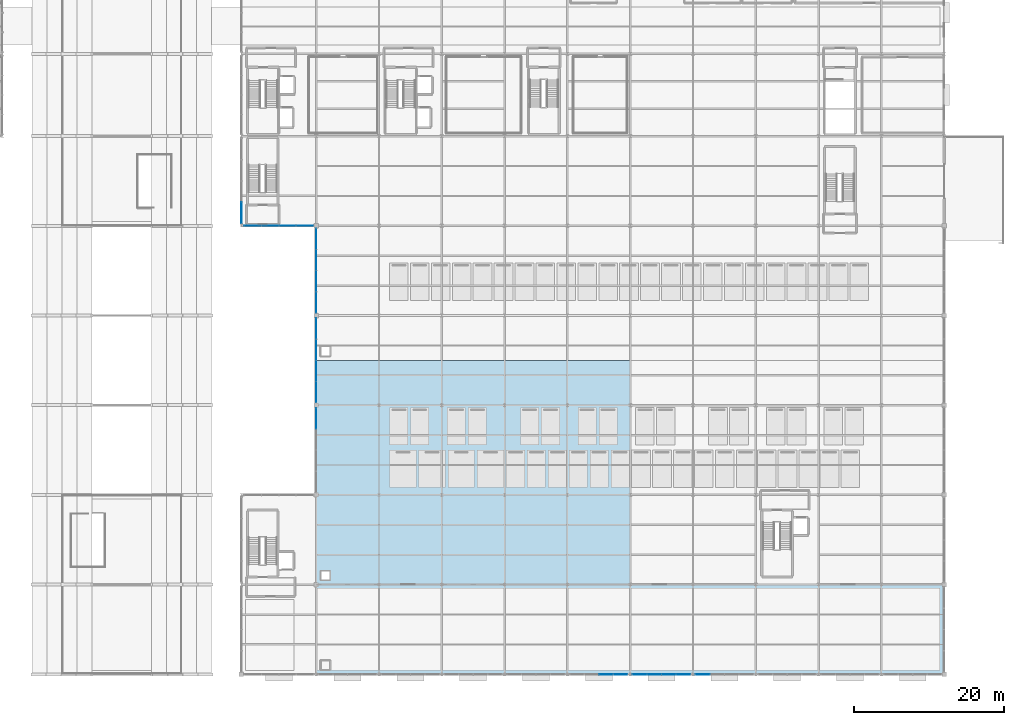
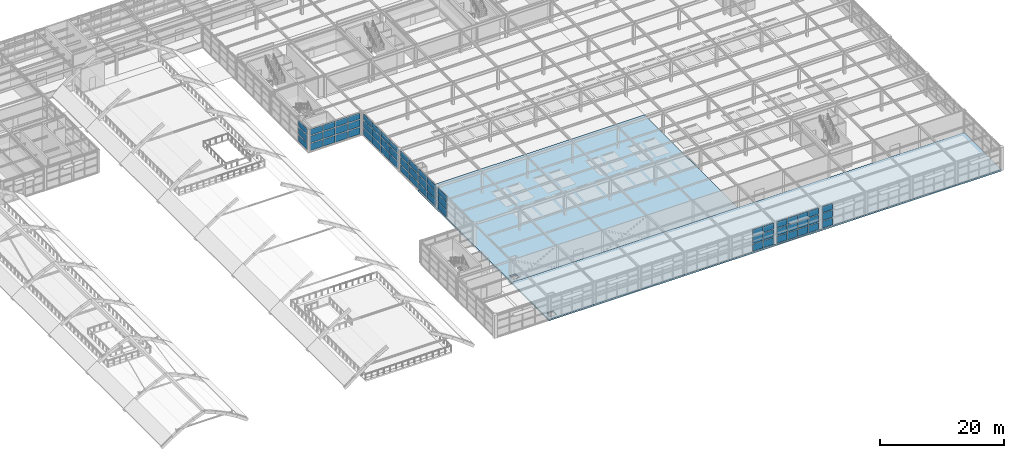
# One storey, part 47 of 82: 63 plates, 2 slabs, 8 elements without a shape of their own.
"""IFC4 building model written with IfcOpenShell, lengths in metres."""

import ifcopenshell
import ifcopenshell.guid

model = None  # the IFC model being written
_history = None  # IfcOwnerHistory: only IFC2X3 demands one
_inside = {}  # id of a spatial element -> (the spatial element, [elements in it])
_under = {}  # id of a project, library or spatial element -> (it, [spatial elements below it])
_declared = {}  # id of a project -> (the project, [libraries it declares])
_typed = {}  # id of a type object -> (the type object, [elements of that type])
_made_of = {}  # id of a material, layer set ... -> (it, [elements and type objects made of it])


def new_model(schema):
    """Start an empty IFC model of exactly this schema.

    Asked for "IFC4X3", IfcOpenShell would pick the latest addendum, in which some entities
    have other attributes; the version numbers below select the first issue.
    IFC2X3 requires an IfcOwnerHistory on every rooted entity: one is made here for all.
    """
    global model, _history
    if schema == "IFC4X3":
        model = ifcopenshell.file(schema_version=(4, 3, 0, 0))
    else:
        model = ifcopenshell.file(schema=schema)
    _inside.clear()
    _under.clear()
    _declared.clear()
    _typed.clear()
    _made_of.clear()
    _history = None
    if model.schema == "IFC2X3":
        org = make("IfcOrganization", Name="unknown")
        user = make(
            "IfcPersonAndOrganization",
            ThePerson=make("IfcPerson", FamilyName="unknown"),
            TheOrganization=org,
        )
        app = make(
            "IfcApplication",
            ApplicationDeveloper=org,
            Version="unknown",
            ApplicationFullName="unknown",
            ApplicationIdentifier="unknown",
        )
        _history = make(
            "IfcOwnerHistory",
            OwningUser=user,
            OwningApplication=app,
            ChangeAction="ADDED",
            CreationDate=0,
        )
    return model


def make(cls, **values):
    """One entity of the class cls with the attributes given. An attribute that is None is left unset."""
    return model.create_entity(
        cls, **{name: value for name, value in values.items() if value is not None}
    )


def rooted(cls, **values):
    """An entity with a GlobalId (a new one), such as an element, a storey or a relation."""
    return make(cls, GlobalId=ifcopenshell.guid.new(), OwnerHistory=_history, **values)


def si_unit(unit_type, name, prefix=None):
    """IfcSIUnit, for example si_unit("LENGTHUNIT", "METRE", prefix="MILLI")."""
    return make("IfcSIUnit", UnitType=unit_type, Prefix=prefix, Name=name)


def assignment(units):
    """IfcUnitAssignment: the units of a project."""
    return None if units is None else make("IfcUnitAssignment", Units=units)


def point(xyz):
    """IfcCartesianPoint."""
    return None if xyz is None else make("IfcCartesianPoint", Coordinates=xyz)


def direction(xyz):
    """IfcDirection."""
    return None if xyz is None else make("IfcDirection", DirectionRatios=xyz)


def frame(location, z_axis=None, x_axis=None):
    """IfcAxis2Placement3D, a coordinate frame: its origin and axes. An axis left out is left unset."""
    return make(
        "IfcAxis2Placement3D",
        Location=point(location),
        Axis=direction(z_axis),
        RefDirection=direction(x_axis),
    )


def frame_2d(location, x_axis=None):
    """IfcAxis2Placement2D, a coordinate frame in the plane: its origin and x axis."""
    return make(
        "IfcAxis2Placement2D", Location=point(location), RefDirection=direction(x_axis)
    )


def origin():
    """The frame at (0, 0, 0) with its axes left unset."""
    return frame((0.0, 0.0, 0.0))


def origin_2d():
    """The frame at (0, 0) in the plane with its x axis left unset."""
    return frame_2d((0.0, 0.0))


def place(relative_to, where):
    """IfcLocalPlacement: puts the frame where relative to a parent placement (None: the world)."""
    return make(
        "IfcLocalPlacement", PlacementRelTo=relative_to, RelativePlacement=where
    )


def context(
    kind, dimensions, precision=None, world=None, true_north=None, identifier=None
):
    """IfcGeometricRepresentationContext, for example the 3D "Model" context."""
    return make(
        "IfcGeometricRepresentationContext",
        ContextIdentifier=identifier,
        ContextType=kind,
        CoordinateSpaceDimension=dimensions,
        Precision=precision,
        WorldCoordinateSystem=world,
        TrueNorth=true_north,
    )


def subcontext(parent, identifier, kind, view, scale=None):
    """IfcGeometricRepresentationSubContext, for example "Body" below "Model"."""
    return make(
        "IfcGeometricRepresentationSubContext",
        ContextIdentifier=identifier,
        ContextType=kind,
        ParentContext=parent,
        TargetScale=scale,
        TargetView=view,
    )


def project(units=None, contexts=None):
    """IfcProject with its units and contexts."""
    return rooted(
        "IfcProject",
        Name="project",
        RepresentationContexts=contexts,
        UnitsInContext=assignment(units),
    )


def spatial(cls, under=None, at=None, **own):
    """A site, building, storey or space (cls), placed at a placement, below another one or the project."""
    s = rooted(cls, ObjectPlacement=at, **own)
    if under is not None:
        _under.setdefault(under.id(), (under, []))[1].append(s)
    return s


def polyline(points):
    """IfcPolyline through the points."""
    return make("IfcPolyline", Points=[point(p) for p in points])


def profile(cls, at=None, kind="AREA", **sizes):
    """A parametric profile (cls). Its sizes go by their IFC names, for example OverallWidth=200.0."""
    return make(cls, ProfileType=kind, Position=at, **sizes)


def rectangle(**sizes):
    """IfcRectangleProfileDef."""
    return profile("IfcRectangleProfileDef", **sizes)


def outline(outer, holes=None, kind="AREA"):
    """IfcArbitraryClosedProfileDef: a profile drawn as a closed curve; with holes, ...WithVoids."""
    if holes is None:
        return make("IfcArbitraryClosedProfileDef", ProfileType=kind, OuterCurve=outer)
    return make(
        "IfcArbitraryProfileDefWithVoids",
        ProfileType=kind,
        OuterCurve=outer,
        InnerCurves=holes,
    )


def extrude(swept, where, along, depth):
    """IfcExtrudedAreaSolid: the profile swept, set in the frame where, extruded along a direction by depth."""
    return make(
        "IfcExtrudedAreaSolid",
        SweptArea=swept,
        Position=where,
        ExtrudedDirection=direction(along),
        Depth=depth,
    )


def shape(context_of_items, identifier, shape_type, items):
    """IfcShapeRepresentation: the items that make up one representation, for example the "Body"."""
    return make(
        "IfcShapeRepresentation",
        ContextOfItems=context_of_items,
        RepresentationIdentifier=identifier,
        RepresentationType=shape_type,
        Items=items,
    )


def material(Name=None, Category=None):
    """IfcMaterial."""
    return make("IfcMaterial", Name=Name, Category=Category)


def layer(
    of_material, thickness, ventilated=None, Name=None, Category=None, Priority=None
):
    """IfcMaterialLayer: one layer of a wall or slab, of a material (None: an air gap)."""
    return make(
        "IfcMaterialLayer",
        Material=of_material,
        LayerThickness=thickness,
        IsVentilated=ventilated,
        Name=Name,
        Category=Category,
        Priority=Priority,
    )


def layer_set(layers, Name=None):
    """IfcMaterialLayerSet."""
    return make("IfcMaterialLayerSet", MaterialLayers=layers, LayerSetName=Name)


def made_of(thing, what):
    """Note that an element or type object is made of a material, layer set ...; save() writes the relation."""
    if what is not None:
        _made_of.setdefault(what.id(), (what, []))[1].append(thing)
    return thing


def type_object(cls, material=None, **own):
    """A type object (cls), such as IfcWallType, which elements share."""
    return made_of(rooted(cls, **own), material)


def element(
    cls,
    number,
    at=None,
    inside=None,
    cuts=None,
    type_object=None,
    material=None,
    context=None,
    identifier="Body",
    shape_type=None,
    held_by="IfcProductDefinitionShape",
    body=None,
    shapes=None,
    **own,
):
    """One element of the class cls, such as IfcWall. Its Tag is "e" and its number.

    at: its placement. inside: the storey or other place that contains it. cuts: it is an
    opening in that element (IfcRelVoidsElement). A single representation is given by context,
    identifier, shape_type and body (its items); several are given by shapes. held_by: the class
    of the entity that holds the representations. save() writes the other relations.
    """
    e = rooted(cls, Tag="e%d" % number, ObjectPlacement=at, **own)
    if body is not None:
        shapes = [shape(context, identifier, shape_type, body)]
    if shapes is not None:
        e.Representation = make(held_by, Representations=shapes)
    if inside is not None:
        _inside.setdefault(inside.id(), (inside, []))[1].append(e)
    if cuts is not None:
        rooted(
            "IfcRelVoidsElement", RelatingBuildingElement=cuts, RelatedOpeningElement=e
        )
    if type_object is not None:
        _typed.setdefault(type_object.id(), (type_object, []))[1].append(e)
    return made_of(e, material)


def aggregate(whole, parts):
    """IfcRelAggregates: a whole, such as a stair, and the parts it consists of."""
    return rooted("IfcRelAggregates", RelatingObject=whole, RelatedObjects=parts)


def save(model, path):
    """Write the relations noted so far, then the file.

    IfcRelAggregates (storeys below a building ...), IfcRelContainedInSpatialStructure (elements
    in a storey), IfcRelDefinesByType, IfcRelAssociatesMaterial and IfcRelDeclares: one each for
    every whole, place, type object, material and project.
    """
    for whole, parts in _under.values():
        aggregate(whole, parts)
    for where, things in _inside.values():
        rooted(
            "IfcRelContainedInSpatialStructure",
            RelatedElements=things,
            RelatingStructure=where,
        )
    for kind, things in _typed.values():
        rooted("IfcRelDefinesByType", RelatedObjects=things, RelatingType=kind)
    for what, things in _made_of.values():
        rooted("IfcRelAssociatesMaterial", RelatedObjects=things, RelatingMaterial=what)
    for by, libraries in _declared.values():
        rooted("IfcRelDeclares", RelatingContext=by, RelatedDefinitions=libraries)
    model.write(path)


model = new_model("IFC4")

# Units and contexts
model_context = context("Model", 3, precision=1e-05, world=origin(), true_north=direction((0.0, 1.0)))
body_context = subcontext(model_context, "Body", "Model", "MODEL_VIEW")
ifc_project = project(units=[si_unit("LENGTHUNIT", "METRE"), si_unit("AREAUNIT", "SQUARE_METRE"), si_unit("VOLUMEUNIT", "CUBIC_METRE"), si_unit("PLANEANGLEUNIT", "RADIAN"), si_unit("MASSUNIT", "GRAM", prefix="KILO")], contexts=[model_context])

# Site, building, storey
site_placement = place(None, origin())
site = spatial("IfcSite", under=ifc_project, at=site_placement, CompositionType="ELEMENT")
building_placement = place(site_placement, origin())
building = spatial("IfcBuilding", under=site, at=building_placement, Name="Sitalva Quay Ferry Terminal", CompositionType="ELEMENT")
storey_placement = place(building_placement, frame((0.0, 0.0, 5.39990234375)))
storey = spatial("IfcBuildingStorey", under=building, at=storey_placement, Name="L02", CompositionType="ELEMENT", Elevation=5.39990234375)

# Curtain wall, plates
ifc_material_1 = material(Name="Anodised Aluminium & Low-E Glazing", Category="aluminium")
ifc_layer_1 = layer(ifc_material_1, 0.159912109375)
ifc_layer_set_1 = layer_set([ifc_layer_1], Name="Anodised Aluminium & Low-E Glazing")
curtain_wall_type_1 = type_object("IfcCurtainWallType", Name="CW_Podium_Stick", PredefinedType="USERDEFINED", material=ifc_layer_set_1)
curtain_wall_1_placement = place(storey_placement, origin())
curtain_wall_1 = element("IfcCurtainWall", 1, at=curtain_wall_1_placement, inside=storey, type_object=curtain_wall_type_1, Name="L02 east monsoon court north glazing (CW-L02-079)", ObjectType="CURTAIN_WALL", PredefinedType="USERDEFINED")
ifc_material_2 = material(Name="Laminated Low-E Double Glazing", Category="glass")
ifc_layer_2 = layer(ifc_material_2, 0.028076171875)
ifc_layer_set_2 = layer_set([ifc_layer_2], Name="Laminated Low-E Double Glazing")
plate_type_1 = type_object("IfcPlateType", Name="Panel_LowE_IGU_28", PredefinedType="CURTAIN_PANEL", material=ifc_layer_set_2)
plate_1_placement = place(storey_placement, frame((75.512451171875, 66.0, 0.1552734375), z_axis=(0.0, 0.0, 1.0), x_axis=(1.0, 0.0, 0.0)))
plate_1 = element("IfcPlate", 2, at=plate_1_placement, type_object=plate_type_1, Name="CW-L02-079-P0-0", PredefinedType="CURTAIN_PANEL", context=body_context, shape_type="SweptSolid", body=[
    extrude(rectangle(XDim=2.25, YDim=0.028076171875, at=origin_2d()), origin(), (0.0, 0.0, 1.0), 1.344970703125),
])
plate_2_placement = place(storey_placement, frame((75.512451171875, 66.0, 1.6552734375), z_axis=(0.0, 0.0, 1.0), x_axis=(1.0, 0.0, 0.0)))
plate_2 = element("IfcPlate", 3, at=plate_2_placement, type_object=plate_type_1, Name="CW-L02-079-P0-1", PredefinedType="CURTAIN_PANEL", context=body_context, shape_type="SweptSolid", body=[
    extrude(rectangle(XDim=2.25, YDim=0.028076171875, at=origin_2d()), origin(), (0.0, 0.0, 1.0), 1.344970703125),
])
plate_3_placement = place(storey_placement, frame((75.512451171875, 66.0, 3.155029296875), z_axis=(0.0, 0.0, 1.0), x_axis=(1.0, 0.0, 0.0)))
plate_3 = element("IfcPlate", 4, at=plate_3_placement, type_object=plate_type_1, Name="CW-L02-079-P0-2", PredefinedType="CURTAIN_PANEL", context=body_context, shape_type="SweptSolid", body=[
    extrude(rectangle(XDim=2.25, YDim=0.028076171875, at=origin_2d()), origin(), (0.0, 0.0, 1.0), 1.18994140625),
])
plate_4_placement = place(storey_placement, frame((77.83740234375, 66.0, 0.1552734375), z_axis=(0.0, 0.0, 1.0), x_axis=(1.0, 0.0, 0.0)))
plate_4 = element("IfcPlate", 5, at=plate_4_placement, type_object=plate_type_1, Name="CW-L02-079-P1-0", PredefinedType="CURTAIN_PANEL", context=body_context, shape_type="SweptSolid", body=[
    extrude(rectangle(XDim=2.25, YDim=0.028076171875, at=origin_2d()), origin(), (0.0, 0.0, 1.0), 1.344970703125),
])
plate_5_placement = place(storey_placement, frame((77.83740234375, 66.0, 1.6552734375), z_axis=(0.0, 0.0, 1.0), x_axis=(1.0, 0.0, 0.0)))
plate_5 = element("IfcPlate", 6, at=plate_5_placement, type_object=plate_type_1, Name="CW-L02-079-P1-1", PredefinedType="CURTAIN_PANEL", context=body_context, shape_type="SweptSolid", body=[
    extrude(rectangle(XDim=2.25, YDim=0.028076171875, at=origin_2d()), origin(), (0.0, 0.0, 1.0), 1.344970703125),
])
plate_6_placement = place(storey_placement, frame((77.83740234375, 66.0, 3.155029296875), z_axis=(0.0, 0.0, 1.0), x_axis=(1.0, 0.0, 0.0)))
plate_6 = element("IfcPlate", 7, at=plate_6_placement, type_object=plate_type_1, Name="CW-L02-079-P1-2", PredefinedType="CURTAIN_PANEL", context=body_context, shape_type="SweptSolid", body=[
    extrude(rectangle(XDim=2.25, YDim=0.028076171875, at=origin_2d()), origin(), (0.0, 0.0, 1.0), 1.18994140625),
])
plate_7_placement = place(storey_placement, frame((80.16259765625, 66.0, 0.1552734375), z_axis=(0.0, 0.0, 1.0), x_axis=(1.0, 0.0, 0.0)))
plate_7 = element("IfcPlate", 8, at=plate_7_placement, type_object=plate_type_1, Name="CW-L02-079-P2-0", PredefinedType="CURTAIN_PANEL", context=body_context, shape_type="SweptSolid", body=[
    extrude(rectangle(XDim=2.25, YDim=0.028076171875, at=origin_2d()), origin(), (0.0, 0.0, 1.0), 1.344970703125),
])
plate_8_placement = place(storey_placement, frame((80.16259765625, 66.0, 1.6552734375), z_axis=(0.0, 0.0, 1.0), x_axis=(1.0, 0.0, 0.0)))
plate_8 = element("IfcPlate", 9, at=plate_8_placement, type_object=plate_type_1, Name="CW-L02-079-P2-1", PredefinedType="CURTAIN_PANEL", context=body_context, shape_type="SweptSolid", body=[
    extrude(rectangle(XDim=2.25, YDim=0.028076171875, at=origin_2d()), origin(), (0.0, 0.0, 1.0), 1.344970703125),
])
plate_9_placement = place(storey_placement, frame((80.16259765625, 66.0, 3.155029296875), z_axis=(0.0, 0.0, 1.0), x_axis=(1.0, 0.0, 0.0)))
plate_9 = element("IfcPlate", 10, at=plate_9_placement, type_object=plate_type_1, Name="CW-L02-079-P2-2", PredefinedType="CURTAIN_PANEL", context=body_context, shape_type="SweptSolid", body=[
    extrude(rectangle(XDim=2.25, YDim=0.028076171875, at=origin_2d()), origin(), (0.0, 0.0, 1.0), 1.18994140625),
])
plate_10_placement = place(storey_placement, frame((82.487548828125, 66.0, 0.1552734375), z_axis=(0.0, 0.0, 1.0), x_axis=(1.0, 0.0, 0.0)))
plate_10 = element("IfcPlate", 11, at=plate_10_placement, type_object=plate_type_1, Name="CW-L02-079-P3-0", PredefinedType="CURTAIN_PANEL", context=body_context, shape_type="SweptSolid", body=[
    extrude(rectangle(XDim=2.25, YDim=0.028076171875, at=origin_2d()), origin(), (0.0, 0.0, 1.0), 1.344970703125),
])
plate_11_placement = place(storey_placement, frame((82.487548828125, 66.0, 1.6552734375), z_axis=(0.0, 0.0, 1.0), x_axis=(1.0, 0.0, 0.0)))
plate_11 = element("IfcPlate", 12, at=plate_11_placement, type_object=plate_type_1, Name="CW-L02-079-P3-1", PredefinedType="CURTAIN_PANEL", context=body_context, shape_type="SweptSolid", body=[
    extrude(rectangle(XDim=2.25, YDim=0.028076171875, at=origin_2d()), origin(), (0.0, 0.0, 1.0), 1.344970703125),
])
plate_12_placement = place(storey_placement, frame((82.487548828125, 66.0, 3.155029296875), z_axis=(0.0, 0.0, 1.0), x_axis=(1.0, 0.0, 0.0)))
plate_12 = element("IfcPlate", 13, at=plate_12_placement, type_object=plate_type_1, Name="CW-L02-079-P3-2", PredefinedType="CURTAIN_PANEL", context=body_context, shape_type="SweptSolid", body=[
    extrude(rectangle(XDim=2.25, YDim=0.028076171875, at=origin_2d()), origin(), (0.0, 0.0, 1.0), 1.18994140625),
])
aggregate(curtain_wall_1, [plate_1, plate_2, plate_3, plate_4, plate_5, plate_6, plate_7, plate_8, plate_9, plate_10, plate_11, plate_12])

curtain_wall_2_placement = place(storey_placement, origin())
curtain_wall_2 = element("IfcCurtainWall", 14, at=curtain_wall_2_placement, inside=storey, type_object=curtain_wall_type_1, Name="L02 spine west clerestory over V1 eaves (CW-L02-085)", ObjectType="CURTAIN_WALL", PredefinedType="USERDEFINED")
plate_13_placement = place(storey_placement, frame((74.0, 67.739990234375, 0.1552734375), z_axis=(0.0, 0.0, 1.0), x_axis=(0.0, 1.0, 0.0)))
plate_13 = element("IfcPlate", 15, at=plate_13_placement, type_object=plate_type_1, Name="CW-L02-085-P0-0", PredefinedType="CURTAIN_PANEL", context=body_context, shape_type="SweptSolid", body=[
    extrude(rectangle(XDim=2.764892578125, YDim=0.028076171875, at=origin_2d()), origin(), (0.0, 0.0, 1.0), 1.344970703125),
])
plate_14_placement = place(storey_placement, frame((74.0, 67.739990234375, 1.6552734375), z_axis=(0.0, 0.0, 1.0), x_axis=(0.0, 1.0, 0.0)))
plate_14 = element("IfcPlate", 16, at=plate_14_placement, type_object=plate_type_1, Name="CW-L02-085-P0-1", PredefinedType="CURTAIN_PANEL", context=body_context, shape_type="SweptSolid", body=[
    extrude(rectangle(XDim=2.764892578125, YDim=0.028076171875, at=origin_2d()), origin(), (0.0, 0.0, 1.0), 1.344970703125),
])
plate_15_placement = place(storey_placement, frame((74.0, 67.739990234375, 3.155029296875), z_axis=(0.0, 0.0, 1.0), x_axis=(0.0, 1.0, 0.0)))
plate_15 = element("IfcPlate", 17, at=plate_15_placement, type_object=plate_type_1, Name="CW-L02-085-P0-2", PredefinedType="CURTAIN_PANEL", context=body_context, shape_type="SweptSolid", body=[
    extrude(rectangle(XDim=2.764892578125, YDim=0.028076171875, at=origin_2d()), origin(), (0.0, 0.0, 1.0), 1.18994140625),
])
aggregate(curtain_wall_2, [plate_13, plate_14, plate_15])

ifc_material_3 = material(Name="Anodised Aluminium & Low-E Glazing", Category="aluminium")
ifc_layer_3 = layer(ifc_material_3, 0.159912109375)
ifc_layer_set_3 = layer_set([ifc_layer_3], Name="Anodised Aluminium & Low-E Glazing")
curtain_wall_type_2 = type_object("IfcCurtainWallType", Name="CW_Concourse_Unitised", PredefinedType="USERDEFINED", material=ifc_layer_set_3)
curtain_wall_3_placement = place(storey_placement, origin())
curtain_wall_3 = element("IfcCurtainWall", 18, at=curtain_wall_3_placement, inside=storey, type_object=curtain_wall_type_2, Name="L02 waterfront boarding concourse glazing (CW-L02-065)", ObjectType="CURTAIN_WALL", PredefinedType="USERDEFINED")
ifc_material_4 = material(Name="Acoustic Laminated Marine Glazing", Category="glass")
ifc_layer_4 = layer(ifc_material_4, 0.033935546875)
ifc_layer_set_4 = layer_set([ifc_layer_4], Name="Acoustic Laminated Marine Glazing")
plate_type_2 = type_object("IfcPlateType", Name="Panel_Marine_IGU_34", PredefinedType="CURTAIN_PANEL", material=ifc_layer_set_4)
plate_16_placement = place(storey_placement, frame((122.77001953125, 6.0, 0.150146484375), z_axis=(0.0, 0.0, 1.0), x_axis=(1.0, 0.0, 0.0)))
plate_16 = element("IfcPlate", 19, at=plate_16_placement, type_object=plate_type_2, Name="CW-L02-065-P2-0", PredefinedType="CURTAIN_PANEL", context=body_context, shape_type="SweptSolid", body=[
    extrude(rectangle(XDim=1.85498046875, YDim=0.033935546875, at=origin_2d()), origin(), (0.0, 0.0, 1.0), 1.36328125),
])
plate_17_placement = place(storey_placement, frame((122.77001953125, 6.0, 1.66357421875), z_axis=(0.0, 0.0, 1.0), x_axis=(1.0, 0.0, 0.0)))
plate_17 = element("IfcPlate", 20, at=plate_17_placement, type_object=plate_type_2, Name="CW-L02-065-P2-1", PredefinedType="CURTAIN_PANEL", context=body_context, shape_type="SweptSolid", body=[
    extrude(rectangle(XDim=1.85498046875, YDim=0.033935546875, at=origin_2d()), origin(), (0.0, 0.0, 1.0), 1.36328125),
])
plate_18_placement = place(storey_placement, frame((122.77001953125, 6.0, 3.1767578125), z_axis=(0.0, 0.0, 1.0), x_axis=(1.0, 0.0, 0.0)))
plate_18 = element("IfcPlate", 21, at=plate_18_placement, type_object=plate_type_2, Name="CW-L02-065-P2-2", PredefinedType="CURTAIN_PANEL", context=body_context, shape_type="SweptSolid", body=[
    extrude(rectangle(XDim=1.85498046875, YDim=0.033935546875, at=origin_2d()), origin(), (0.0, 0.0, 1.0), 1.21337890625),
])
plate_19_placement = place(storey_placement, frame((124.7099609375, 6.0, 0.150146484375), z_axis=(0.0, 0.0, 1.0), x_axis=(1.0, 0.0, 0.0)))
plate_19 = element("IfcPlate", 22, at=plate_19_placement, type_object=plate_type_2, Name="CW-L02-065-P3-0", PredefinedType="CURTAIN_PANEL", context=body_context, shape_type="SweptSolid", body=[
    extrude(rectangle(XDim=1.85498046875, YDim=0.033935546875, at=origin_2d()), origin(), (0.0, 0.0, 1.0), 1.36328125),
])
plate_20_placement = place(storey_placement, frame((124.7099609375, 6.0, 1.66357421875), z_axis=(0.0, 0.0, 1.0), x_axis=(1.0, 0.0, 0.0)))
plate_20 = element("IfcPlate", 23, at=plate_20_placement, type_object=plate_type_2, Name="CW-L02-065-P3-1", PredefinedType="CURTAIN_PANEL", context=body_context, shape_type="SweptSolid", body=[
    extrude(rectangle(XDim=1.85498046875, YDim=0.033935546875, at=origin_2d()), origin(), (0.0, 0.0, 1.0), 1.36328125),
])
plate_21_placement = place(storey_placement, frame((124.7099609375, 6.0, 3.1767578125), z_axis=(0.0, 0.0, 1.0), x_axis=(1.0, 0.0, 0.0)))
plate_21 = element("IfcPlate", 24, at=plate_21_placement, type_object=plate_type_2, Name="CW-L02-065-P3-2", PredefinedType="CURTAIN_PANEL", context=body_context, shape_type="SweptSolid", body=[
    extrude(rectangle(XDim=1.85498046875, YDim=0.033935546875, at=origin_2d()), origin(), (0.0, 0.0, 1.0), 1.21337890625),
])
aggregate(curtain_wall_3, [plate_16, plate_17, plate_18, plate_19, plate_20, plate_21])

curtain_wall_4_placement = place(storey_placement, origin())
curtain_wall_4 = element("IfcCurtainWall", 25, at=curtain_wall_4_placement, inside=storey, type_object=curtain_wall_type_2, Name="L02 waterfront boarding concourse glazing (CW-L02-066)", ObjectType="CURTAIN_WALL", PredefinedType="USERDEFINED")
plate_22_placement = place(storey_placement, frame((127.2900390625, 6.0, 1.66357421875), z_axis=(0.0, 0.0, 1.0), x_axis=(1.0, 0.0, 0.0)))
plate_22 = element("IfcPlate", 26, at=plate_22_placement, type_object=plate_type_2, Name="CW-L02-066-P0-1", PredefinedType="CURTAIN_PANEL", context=body_context, shape_type="SweptSolid", body=[
    extrude(rectangle(XDim=1.85498046875, YDim=0.033935546875, at=origin_2d()), origin(), (0.0, 0.0, 1.0), 1.36328125),
])
plate_23_placement = place(storey_placement, frame((127.2900390625, 6.0, 3.1767578125), z_axis=(0.0, 0.0, 1.0), x_axis=(1.0, 0.0, 0.0)))
plate_23 = element("IfcPlate", 27, at=plate_23_placement, type_object=plate_type_2, Name="CW-L02-066-P0-2", PredefinedType="CURTAIN_PANEL", context=body_context, shape_type="SweptSolid", body=[
    extrude(rectangle(XDim=1.85498046875, YDim=0.033935546875, at=origin_2d()), origin(), (0.0, 0.0, 1.0), 1.21337890625),
])
plate_24_placement = place(storey_placement, frame((129.22998046875, 6.0, 1.66357421875), z_axis=(0.0, 0.0, 1.0), x_axis=(1.0, 0.0, 0.0)))
plate_24 = element("IfcPlate", 28, at=plate_24_placement, type_object=plate_type_2, Name="CW-L02-066-P1-1", PredefinedType="CURTAIN_PANEL", context=body_context, shape_type="SweptSolid", body=[
    extrude(rectangle(XDim=1.85498046875, YDim=0.033935546875, at=origin_2d()), origin(), (0.0, 0.0, 1.0), 1.36328125),
])
plate_25_placement = place(storey_placement, frame((129.22998046875, 6.0, 3.1767578125), z_axis=(0.0, 0.0, 1.0), x_axis=(1.0, 0.0, 0.0)))
plate_25 = element("IfcPlate", 29, at=plate_25_placement, type_object=plate_type_2, Name="CW-L02-066-P1-2", PredefinedType="CURTAIN_PANEL", context=body_context, shape_type="SweptSolid", body=[
    extrude(rectangle(XDim=1.85498046875, YDim=0.033935546875, at=origin_2d()), origin(), (0.0, 0.0, 1.0), 1.21337890625),
])
plate_26_placement = place(storey_placement, frame((131.169921875, 6.0, 1.66357421875), z_axis=(0.0, 0.0, 1.0), x_axis=(1.0, 0.0, 0.0)))
plate_26 = element("IfcPlate", 30, at=plate_26_placement, type_object=plate_type_2, Name="CW-L02-066-P2-1", PredefinedType="CURTAIN_PANEL", context=body_context, shape_type="SweptSolid", body=[
    extrude(rectangle(XDim=1.85498046875, YDim=0.033935546875, at=origin_2d()), origin(), (0.0, 0.0, 1.0), 1.36328125),
])
plate_27_placement = place(storey_placement, frame((131.169921875, 6.0, 3.1767578125), z_axis=(0.0, 0.0, 1.0), x_axis=(1.0, 0.0, 0.0)))
plate_27 = element("IfcPlate", 31, at=plate_27_placement, type_object=plate_type_2, Name="CW-L02-066-P2-2", PredefinedType="CURTAIN_PANEL", context=body_context, shape_type="SweptSolid", body=[
    extrude(rectangle(XDim=1.85498046875, YDim=0.033935546875, at=origin_2d()), origin(), (0.0, 0.0, 1.0), 1.21337890625),
])
plate_28_placement = place(storey_placement, frame((133.110107421875, 6.0, 1.66357421875), z_axis=(0.0, 0.0, 1.0), x_axis=(1.0, 0.0, 0.0)))
plate_28 = element("IfcPlate", 32, at=plate_28_placement, type_object=plate_type_2, Name="CW-L02-066-P3-1", PredefinedType="CURTAIN_PANEL", context=body_context, shape_type="SweptSolid", body=[
    extrude(rectangle(XDim=1.85498046875, YDim=0.033935546875, at=origin_2d()), origin(), (0.0, 0.0, 1.0), 1.36328125),
])
plate_29_placement = place(storey_placement, frame((133.110107421875, 6.0, 3.1767578125), z_axis=(0.0, 0.0, 1.0), x_axis=(1.0, 0.0, 0.0)))
plate_29 = element("IfcPlate", 33, at=plate_29_placement, type_object=plate_type_2, Name="CW-L02-066-P3-2", PredefinedType="CURTAIN_PANEL", context=body_context, shape_type="SweptSolid", body=[
    extrude(rectangle(XDim=1.85498046875, YDim=0.033935546875, at=origin_2d()), origin(), (0.0, 0.0, 1.0), 1.21337890625),
])

curtain_wall_5_placement = place(storey_placement, origin())
curtain_wall_5 = element("IfcCurtainWall", 34, at=curtain_wall_5_placement, inside=storey, type_object=curtain_wall_type_2, Name="L02 waterfront boarding concourse glazing (CW-L02-068)", ObjectType="CURTAIN_WALL", PredefinedType="USERDEFINED")
plate_30_placement = place(storey_placement, frame((135.68994140625, 6.0, 0.150146484375), z_axis=(0.0, 0.0, 1.0), x_axis=(1.0, 0.0, 0.0)))
plate_30 = element("IfcPlate", 35, at=plate_30_placement, type_object=plate_type_2, Name="CW-L02-068-P0-0", PredefinedType="CURTAIN_PANEL", context=body_context, shape_type="SweptSolid", body=[
    extrude(rectangle(XDim=1.85498046875, YDim=0.033935546875, at=origin_2d()), origin(), (0.0, 0.0, 1.0), 1.36328125),
])
plate_31_placement = place(storey_placement, frame((135.68994140625, 6.0, 1.66357421875), z_axis=(0.0, 0.0, 1.0), x_axis=(1.0, 0.0, 0.0)))
plate_31 = element("IfcPlate", 36, at=plate_31_placement, type_object=plate_type_2, Name="CW-L02-068-P0-1", PredefinedType="CURTAIN_PANEL", context=body_context, shape_type="SweptSolid", body=[
    extrude(rectangle(XDim=1.85498046875, YDim=0.033935546875, at=origin_2d()), origin(), (0.0, 0.0, 1.0), 1.36328125),
])
plate_32_placement = place(storey_placement, frame((135.68994140625, 6.0, 3.1767578125), z_axis=(0.0, 0.0, 1.0), x_axis=(1.0, 0.0, 0.0)))
plate_32 = element("IfcPlate", 37, at=plate_32_placement, type_object=plate_type_2, Name="CW-L02-068-P0-2", PredefinedType="CURTAIN_PANEL", context=body_context, shape_type="SweptSolid", body=[
    extrude(rectangle(XDim=1.85498046875, YDim=0.033935546875, at=origin_2d()), origin(), (0.0, 0.0, 1.0), 1.21337890625),
])
aggregate(curtain_wall_5, [plate_30, plate_31, plate_32])

# Plate
ifc_material_5 = material(Name="Insulated Spandrel Cassette", Category="aluminium")
ifc_layer_5 = layer(ifc_material_5, 0.0400390625)
ifc_layer_set_5 = layer_set([ifc_layer_5], Name="Insulated Spandrel Cassette")
plate_type_3 = type_object("IfcPlateType", Name="Panel_Spandrel_Alu_40", PredefinedType="CURTAIN_PANEL", material=ifc_layer_set_5)
plate_33_placement = place(storey_placement, frame((127.2900390625, 6.0, 0.150146484375), z_axis=(0.0, 0.0, 1.0), x_axis=(1.0, 0.0, 0.0)))
plate_33 = element("IfcPlate", 38, at=plate_33_placement, type_object=plate_type_3, Name="CW-L02-066-P0-0", PredefinedType="CURTAIN_PANEL", context=body_context, shape_type="SweptSolid", body=[
    extrude(rectangle(XDim=1.85498046875, YDim=0.0400390625, at=origin_2d()), origin(), (0.0, 0.0, 1.0), 1.36328125),
])

plate_34_placement = place(storey_placement, frame((129.22998046875, 6.0, 0.150146484375), z_axis=(0.0, 0.0, 1.0), x_axis=(1.0, 0.0, 0.0)))
plate_34 = element("IfcPlate", 39, at=plate_34_placement, type_object=plate_type_3, Name="CW-L02-066-P1-0", PredefinedType="CURTAIN_PANEL", context=body_context, shape_type="SweptSolid", body=[
    extrude(rectangle(XDim=1.85498046875, YDim=0.0400390625, at=origin_2d()), origin(), (0.0, 0.0, 1.0), 1.36328125),
])

plate_35_placement = place(storey_placement, frame((131.169921875, 6.0, 0.150146484375), z_axis=(0.0, 0.0, 1.0), x_axis=(1.0, 0.0, 0.0)))
plate_35 = element("IfcPlate", 40, at=plate_35_placement, type_object=plate_type_3, Name="CW-L02-066-P2-0", PredefinedType="CURTAIN_PANEL", context=body_context, shape_type="SweptSolid", body=[
    extrude(rectangle(XDim=1.85498046875, YDim=0.0400390625, at=origin_2d()), origin(), (0.0, 0.0, 1.0), 1.36328125),
])

plate_36_placement = place(storey_placement, frame((133.110107421875, 6.0, 0.150146484375), z_axis=(0.0, 0.0, 1.0), x_axis=(1.0, 0.0, 0.0)))
plate_36 = element("IfcPlate", 41, at=plate_36_placement, type_object=plate_type_3, Name="CW-L02-066-P3-0", PredefinedType="CURTAIN_PANEL", context=body_context, shape_type="SweptSolid", body=[
    extrude(rectangle(XDim=1.85498046875, YDim=0.0400390625, at=origin_2d()), origin(), (0.0, 0.0, 1.0), 1.36328125),
])

aggregate(curtain_wall_4, [plate_33, plate_22, plate_23, plate_34, plate_24, plate_25, plate_35, plate_26, plate_27, plate_36, plate_28, plate_29])

# Curtain wall, plates
ifc_material_6 = material(Name="Anodised Aluminium & Low-E Glazing", Category="aluminium")
ifc_layer_6 = layer(ifc_material_6, 0.159912109375)
ifc_layer_set_6 = layer_set([ifc_layer_6], Name="Anodised Aluminium & Low-E Glazing")
curtain_wall_type_3 = type_object("IfcCurtainWallType", Name="CW_Coastal_Louvred", PredefinedType="USERDEFINED", material=ifc_layer_set_6)
curtain_wall_6_placement = place(storey_placement, origin())
curtain_wall_6 = element("IfcCurtainWall", 42, at=curtain_wall_6_placement, inside=storey, type_object=curtain_wall_type_3, Name="L02 east court louvred wall (CW-L02-080)", ObjectType="CURTAIN_WALL", PredefinedType="USERDEFINED")
plate_37_placement = place(storey_placement, frame((84.0, 40.237548828125, 0.14990234375), z_axis=(0.0, 0.0, 1.0), x_axis=(0.0, 1.0, 0.0)))
plate_37 = element("IfcPlate", 43, at=plate_37_placement, type_object=plate_type_3, Name="CW-L02-080-P3-0", PredefinedType="CURTAIN_PANEL", context=body_context, shape_type="SweptSolid", body=[
    extrude(rectangle(XDim=2.7451171875, YDim=0.0400390625, at=origin_2d()), origin(), (0.0, 0.0, 1.0), 1.333251953125),
])
plate_38_placement = place(storey_placement, frame((84.0, 40.237548828125, 1.63330078125), z_axis=(0.0, 0.0, 1.0), x_axis=(0.0, 1.0, 0.0)))
plate_38 = element("IfcPlate", 44, at=plate_38_placement, type_object=plate_type_3, Name="CW-L02-080-P3-1", PredefinedType="CURTAIN_PANEL", context=body_context, shape_type="SweptSolid", body=[
    extrude(rectangle(XDim=2.7451171875, YDim=0.0400390625, at=origin_2d()), origin(), (0.0, 0.0, 1.0), 1.333251953125),
])
plate_39_placement = place(storey_placement, frame((84.0, 40.237548828125, 3.11669921875), z_axis=(0.0, 0.0, 1.0), x_axis=(0.0, 1.0, 0.0)))
plate_39 = element("IfcPlate", 45, at=plate_39_placement, type_object=plate_type_3, Name="CW-L02-080-P3-2", PredefinedType="CURTAIN_PANEL", context=body_context, shape_type="SweptSolid", body=[
    extrude(rectangle(XDim=2.7451171875, YDim=0.0400390625, at=origin_2d()), origin(), (0.0, 0.0, 1.0), 1.183349609375),
])
aggregate(curtain_wall_6, [plate_37, plate_38, plate_39])

curtain_wall_7_placement = place(storey_placement, origin())
curtain_wall_7 = element("IfcCurtainWall", 46, at=curtain_wall_7_placement, inside=storey, type_object=curtain_wall_type_3, Name="L02 east court louvred wall (CW-L02-081)", ObjectType="CURTAIN_WALL", PredefinedType="USERDEFINED")
plate_40_placement = place(storey_placement, frame((84.0, 43.762451171875, 0.14990234375), z_axis=(0.0, 0.0, 1.0), x_axis=(0.0, 1.0, 0.0)))
plate_40 = element("IfcPlate", 47, at=plate_40_placement, type_object=plate_type_3, Name="CW-L02-081-P0-0", PredefinedType="CURTAIN_PANEL", context=body_context, shape_type="SweptSolid", body=[
    extrude(rectangle(XDim=2.7451171875, YDim=0.0400390625, at=origin_2d()), origin(), (0.0, 0.0, 1.0), 1.333251953125),
])
plate_41_placement = place(storey_placement, frame((84.0, 43.762451171875, 1.63330078125), z_axis=(0.0, 0.0, 1.0), x_axis=(0.0, 1.0, 0.0)))
plate_41 = element("IfcPlate", 48, at=plate_41_placement, type_object=plate_type_3, Name="CW-L02-081-P0-1", PredefinedType="CURTAIN_PANEL", context=body_context, shape_type="SweptSolid", body=[
    extrude(rectangle(XDim=2.7451171875, YDim=0.0400390625, at=origin_2d()), origin(), (0.0, 0.0, 1.0), 1.333251953125),
])
plate_42_placement = place(storey_placement, frame((84.0, 43.762451171875, 3.11669921875), z_axis=(0.0, 0.0, 1.0), x_axis=(0.0, 1.0, 0.0)))
plate_42 = element("IfcPlate", 49, at=plate_42_placement, type_object=plate_type_3, Name="CW-L02-081-P0-2", PredefinedType="CURTAIN_PANEL", context=body_context, shape_type="SweptSolid", body=[
    extrude(rectangle(XDim=2.7451171875, YDim=0.0400390625, at=origin_2d()), origin(), (0.0, 0.0, 1.0), 1.183349609375),
])
plate_43_placement = place(storey_placement, frame((84.0, 46.58740234375, 0.14990234375), z_axis=(0.0, 0.0, 1.0), x_axis=(0.0, 1.0, 0.0)))
plate_43 = element("IfcPlate", 50, at=plate_43_placement, type_object=plate_type_3, Name="CW-L02-081-P1-0", PredefinedType="CURTAIN_PANEL", context=body_context, shape_type="SweptSolid", body=[
    extrude(rectangle(XDim=2.7451171875, YDim=0.0400390625, at=origin_2d()), origin(), (0.0, 0.0, 1.0), 1.333251953125),
])
plate_44_placement = place(storey_placement, frame((84.0, 46.58740234375, 1.63330078125), z_axis=(0.0, 0.0, 1.0), x_axis=(0.0, 1.0, 0.0)))
plate_44 = element("IfcPlate", 51, at=plate_44_placement, type_object=plate_type_3, Name="CW-L02-081-P1-1", PredefinedType="CURTAIN_PANEL", context=body_context, shape_type="SweptSolid", body=[
    extrude(rectangle(XDim=2.7451171875, YDim=0.0400390625, at=origin_2d()), origin(), (0.0, 0.0, 1.0), 1.333251953125),
])
plate_45_placement = place(storey_placement, frame((84.0, 46.58740234375, 3.11669921875), z_axis=(0.0, 0.0, 1.0), x_axis=(0.0, 1.0, 0.0)))
plate_45 = element("IfcPlate", 52, at=plate_45_placement, type_object=plate_type_3, Name="CW-L02-081-P1-2", PredefinedType="CURTAIN_PANEL", context=body_context, shape_type="SweptSolid", body=[
    extrude(rectangle(XDim=2.7451171875, YDim=0.0400390625, at=origin_2d()), origin(), (0.0, 0.0, 1.0), 1.183349609375),
])
plate_46_placement = place(storey_placement, frame((84.0, 49.41259765625, 0.14990234375), z_axis=(0.0, 0.0, 1.0), x_axis=(0.0, 1.0, 0.0)))
plate_46 = element("IfcPlate", 53, at=plate_46_placement, type_object=plate_type_3, Name="CW-L02-081-P2-0", PredefinedType="CURTAIN_PANEL", context=body_context, shape_type="SweptSolid", body=[
    extrude(rectangle(XDim=2.7451171875, YDim=0.0400390625, at=origin_2d()), origin(), (0.0, 0.0, 1.0), 1.333251953125),
])
plate_47_placement = place(storey_placement, frame((84.0, 49.41259765625, 1.63330078125), z_axis=(0.0, 0.0, 1.0), x_axis=(0.0, 1.0, 0.0)))
plate_47 = element("IfcPlate", 54, at=plate_47_placement, type_object=plate_type_3, Name="CW-L02-081-P2-1", PredefinedType="CURTAIN_PANEL", context=body_context, shape_type="SweptSolid", body=[
    extrude(rectangle(XDim=2.7451171875, YDim=0.0400390625, at=origin_2d()), origin(), (0.0, 0.0, 1.0), 1.333251953125),
])
plate_48_placement = place(storey_placement, frame((84.0, 49.41259765625, 3.11669921875), z_axis=(0.0, 0.0, 1.0), x_axis=(0.0, 1.0, 0.0)))
plate_48 = element("IfcPlate", 55, at=plate_48_placement, type_object=plate_type_3, Name="CW-L02-081-P2-2", PredefinedType="CURTAIN_PANEL", context=body_context, shape_type="SweptSolid", body=[
    extrude(rectangle(XDim=2.7451171875, YDim=0.0400390625, at=origin_2d()), origin(), (0.0, 0.0, 1.0), 1.183349609375),
])
plate_49_placement = place(storey_placement, frame((84.0, 52.237548828125, 0.14990234375), z_axis=(0.0, 0.0, 1.0), x_axis=(0.0, 1.0, 0.0)))
plate_49 = element("IfcPlate", 56, at=plate_49_placement, type_object=plate_type_3, Name="CW-L02-081-P3-0", PredefinedType="CURTAIN_PANEL", context=body_context, shape_type="SweptSolid", body=[
    extrude(rectangle(XDim=2.7451171875, YDim=0.0400390625, at=origin_2d()), origin(), (0.0, 0.0, 1.0), 1.333251953125),
])
plate_50_placement = place(storey_placement, frame((84.0, 52.237548828125, 1.63330078125), z_axis=(0.0, 0.0, 1.0), x_axis=(0.0, 1.0, 0.0)))
plate_50 = element("IfcPlate", 57, at=plate_50_placement, type_object=plate_type_3, Name="CW-L02-081-P3-1", PredefinedType="CURTAIN_PANEL", context=body_context, shape_type="SweptSolid", body=[
    extrude(rectangle(XDim=2.7451171875, YDim=0.0400390625, at=origin_2d()), origin(), (0.0, 0.0, 1.0), 1.333251953125),
])
plate_51_placement = place(storey_placement, frame((84.0, 52.237548828125, 3.11669921875), z_axis=(0.0, 0.0, 1.0), x_axis=(0.0, 1.0, 0.0)))
plate_51 = element("IfcPlate", 58, at=plate_51_placement, type_object=plate_type_3, Name="CW-L02-081-P3-2", PredefinedType="CURTAIN_PANEL", context=body_context, shape_type="SweptSolid", body=[
    extrude(rectangle(XDim=2.7451171875, YDim=0.0400390625, at=origin_2d()), origin(), (0.0, 0.0, 1.0), 1.183349609375),
])
aggregate(curtain_wall_7, [plate_40, plate_41, plate_42, plate_43, plate_44, plate_45, plate_46, plate_47, plate_48, plate_49, plate_50, plate_51])

curtain_wall_8_placement = place(storey_placement, origin())
curtain_wall_8 = element("IfcCurtainWall", 59, at=curtain_wall_8_placement, inside=storey, type_object=curtain_wall_type_3, Name="L02 east court louvred wall (CW-L02-082)", ObjectType="CURTAIN_WALL", PredefinedType="USERDEFINED")
plate_52_placement = place(storey_placement, frame((84.0, 55.762451171875, 0.14990234375), z_axis=(0.0, 0.0, 1.0), x_axis=(0.0, 1.0, 0.0)))
plate_52 = element("IfcPlate", 60, at=plate_52_placement, type_object=plate_type_3, Name="CW-L02-082-P0-0", PredefinedType="CURTAIN_PANEL", context=body_context, shape_type="SweptSolid", body=[
    extrude(rectangle(XDim=2.7451171875, YDim=0.0400390625, at=origin_2d()), origin(), (0.0, 0.0, 1.0), 1.333251953125),
])
plate_53_placement = place(storey_placement, frame((84.0, 55.762451171875, 1.63330078125), z_axis=(0.0, 0.0, 1.0), x_axis=(0.0, 1.0, 0.0)))
plate_53 = element("IfcPlate", 61, at=plate_53_placement, type_object=plate_type_3, Name="CW-L02-082-P0-1", PredefinedType="CURTAIN_PANEL", context=body_context, shape_type="SweptSolid", body=[
    extrude(rectangle(XDim=2.7451171875, YDim=0.0400390625, at=origin_2d()), origin(), (0.0, 0.0, 1.0), 1.333251953125),
])
plate_54_placement = place(storey_placement, frame((84.0, 55.762451171875, 3.11669921875), z_axis=(0.0, 0.0, 1.0), x_axis=(0.0, 1.0, 0.0)))
plate_54 = element("IfcPlate", 62, at=plate_54_placement, type_object=plate_type_3, Name="CW-L02-082-P0-2", PredefinedType="CURTAIN_PANEL", context=body_context, shape_type="SweptSolid", body=[
    extrude(rectangle(XDim=2.7451171875, YDim=0.0400390625, at=origin_2d()), origin(), (0.0, 0.0, 1.0), 1.183349609375),
])
plate_55_placement = place(storey_placement, frame((84.0, 58.58740234375, 0.14990234375), z_axis=(0.0, 0.0, 1.0), x_axis=(0.0, 1.0, 0.0)))
plate_55 = element("IfcPlate", 63, at=plate_55_placement, type_object=plate_type_3, Name="CW-L02-082-P1-0", PredefinedType="CURTAIN_PANEL", context=body_context, shape_type="SweptSolid", body=[
    extrude(rectangle(XDim=2.7451171875, YDim=0.0400390625, at=origin_2d()), origin(), (0.0, 0.0, 1.0), 1.333251953125),
])
plate_56_placement = place(storey_placement, frame((84.0, 58.58740234375, 1.63330078125), z_axis=(0.0, 0.0, 1.0), x_axis=(0.0, 1.0, 0.0)))
plate_56 = element("IfcPlate", 64, at=plate_56_placement, type_object=plate_type_3, Name="CW-L02-082-P1-1", PredefinedType="CURTAIN_PANEL", context=body_context, shape_type="SweptSolid", body=[
    extrude(rectangle(XDim=2.7451171875, YDim=0.0400390625, at=origin_2d()), origin(), (0.0, 0.0, 1.0), 1.333251953125),
])
plate_57_placement = place(storey_placement, frame((84.0, 58.58740234375, 3.11669921875), z_axis=(0.0, 0.0, 1.0), x_axis=(0.0, 1.0, 0.0)))
plate_57 = element("IfcPlate", 65, at=plate_57_placement, type_object=plate_type_3, Name="CW-L02-082-P1-2", PredefinedType="CURTAIN_PANEL", context=body_context, shape_type="SweptSolid", body=[
    extrude(rectangle(XDim=2.7451171875, YDim=0.0400390625, at=origin_2d()), origin(), (0.0, 0.0, 1.0), 1.183349609375),
])
plate_58_placement = place(storey_placement, frame((84.0, 61.41259765625, 0.14990234375), z_axis=(0.0, 0.0, 1.0), x_axis=(0.0, 1.0, 0.0)))
plate_58 = element("IfcPlate", 66, at=plate_58_placement, type_object=plate_type_3, Name="CW-L02-082-P2-0", PredefinedType="CURTAIN_PANEL", context=body_context, shape_type="SweptSolid", body=[
    extrude(rectangle(XDim=2.7451171875, YDim=0.0400390625, at=origin_2d()), origin(), (0.0, 0.0, 1.0), 1.333251953125),
])
plate_59_placement = place(storey_placement, frame((84.0, 61.41259765625, 1.63330078125), z_axis=(0.0, 0.0, 1.0), x_axis=(0.0, 1.0, 0.0)))
plate_59 = element("IfcPlate", 67, at=plate_59_placement, type_object=plate_type_3, Name="CW-L02-082-P2-1", PredefinedType="CURTAIN_PANEL", context=body_context, shape_type="SweptSolid", body=[
    extrude(rectangle(XDim=2.7451171875, YDim=0.0400390625, at=origin_2d()), origin(), (0.0, 0.0, 1.0), 1.333251953125),
])
plate_60_placement = place(storey_placement, frame((84.0, 61.41259765625, 3.11669921875), z_axis=(0.0, 0.0, 1.0), x_axis=(0.0, 1.0, 0.0)))
plate_60 = element("IfcPlate", 68, at=plate_60_placement, type_object=plate_type_3, Name="CW-L02-082-P2-2", PredefinedType="CURTAIN_PANEL", context=body_context, shape_type="SweptSolid", body=[
    extrude(rectangle(XDim=2.7451171875, YDim=0.0400390625, at=origin_2d()), origin(), (0.0, 0.0, 1.0), 1.183349609375),
])
plate_61_placement = place(storey_placement, frame((84.0, 64.237548828125, 0.14990234375), z_axis=(0.0, 0.0, 1.0), x_axis=(0.0, 1.0, 0.0)))
plate_61 = element("IfcPlate", 69, at=plate_61_placement, type_object=plate_type_3, Name="CW-L02-082-P3-0", PredefinedType="CURTAIN_PANEL", context=body_context, shape_type="SweptSolid", body=[
    extrude(rectangle(XDim=2.7451171875, YDim=0.0400390625, at=origin_2d()), origin(), (0.0, 0.0, 1.0), 1.333251953125),
])
plate_62_placement = place(storey_placement, frame((84.0, 64.237548828125, 1.63330078125), z_axis=(0.0, 0.0, 1.0), x_axis=(0.0, 1.0, 0.0)))
plate_62 = element("IfcPlate", 70, at=plate_62_placement, type_object=plate_type_3, Name="CW-L02-082-P3-1", PredefinedType="CURTAIN_PANEL", context=body_context, shape_type="SweptSolid", body=[
    extrude(rectangle(XDim=2.7451171875, YDim=0.0400390625, at=origin_2d()), origin(), (0.0, 0.0, 1.0), 1.333251953125),
])
plate_63_placement = place(storey_placement, frame((84.0, 64.237548828125, 3.11669921875), z_axis=(0.0, 0.0, 1.0), x_axis=(0.0, 1.0, 0.0)))
plate_63 = element("IfcPlate", 71, at=plate_63_placement, type_object=plate_type_3, Name="CW-L02-082-P3-2", PredefinedType="CURTAIN_PANEL", context=body_context, shape_type="SweptSolid", body=[
    extrude(rectangle(XDim=2.7451171875, YDim=0.0400390625, at=origin_2d()), origin(), (0.0, 0.0, 1.0), 1.183349609375),
])
aggregate(curtain_wall_8, [plate_52, plate_53, plate_54, plate_55, plate_56, plate_57, plate_58, plate_59, plate_60, plate_61, plate_62, plate_63])

# Slabs
ifc_material_7 = material(Name="Concrete C35/45", Category="concrete")
ifc_layer_7 = layer(ifc_material_7, 0.280029296875)
ifc_layer_set_7 = layer_set([ifc_layer_7], Name="Concrete C35/45")
slab_type_1 = type_object("IfcSlabType", Name="Slab_Concourse_280", PredefinedType="FLOOR", material=ifc_layer_set_7)
slab_1_placement = place(storey_placement, frame((0.0, 0.0, -0.27978515625)))
element("IfcSlab", 72, at=slab_1_placement, inside=storey, type_object=slab_type_1, Name="L02 South-east upper boarding concourse 038", PredefinedType="FLOOR", context=body_context, shape_type="SweptSolid", body=[
    extrude(outline(polyline([(84.0, 6.0), (168.0, 6.0), (168.0, 18.0), (84.0, 18.0), (84.0, 6.0)]), holes=[polyline([(84.64990234375, 6.64990234375), (84.64990234375, 7.800048828125), (85.800048828125, 7.800048828125), (85.800048828125, 6.64990234375), (84.64990234375, 6.64990234375)])]), origin(), (0.0, 0.0, 1.0), 0.27978515625),
])
ifc_material_8 = material(Name="Concrete C35/45", Category="concrete")
ifc_layer_8 = layer(ifc_material_8, 0.320068359375)
ifc_layer_set_8 = layer_set([ifc_layer_8], Name="Concrete C35/45")
slab_type_2 = type_object("IfcSlabType", Name="Slab_VehicleDeck_320", PredefinedType="FLOOR", material=ifc_layer_set_8)
slab_2_placement = place(storey_placement, frame((0.0, 0.0, -0.31982421875)))
element("IfcSlab", 73, at=slab_2_placement, inside=storey, type_object=slab_type_2, Name="L02 Upper vehicle deck SW 039", PredefinedType="FLOOR", context=body_context, shape_type="SweptSolid", body=[
    extrude(outline(polyline([(84.0, 18.0), (126.0, 18.0), (126.0, 48.0), (84.0, 48.0), (84.0, 18.0)]), holes=[polyline([(84.64990234375, 18.64990234375), (84.64990234375, 19.800048828125), (85.800048828125, 19.800048828125), (85.800048828125, 18.64990234375), (84.64990234375, 18.64990234375)])]), origin(), (0.0, 0.0, 1.0), 0.31982421875),
])

save(model, "model.ifc")
